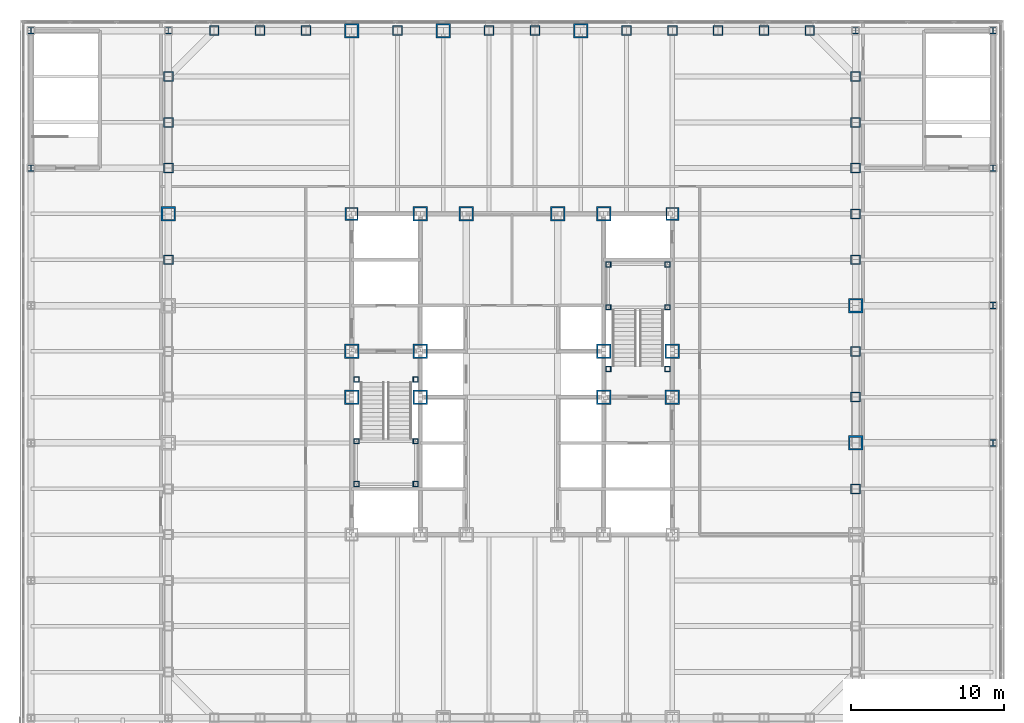
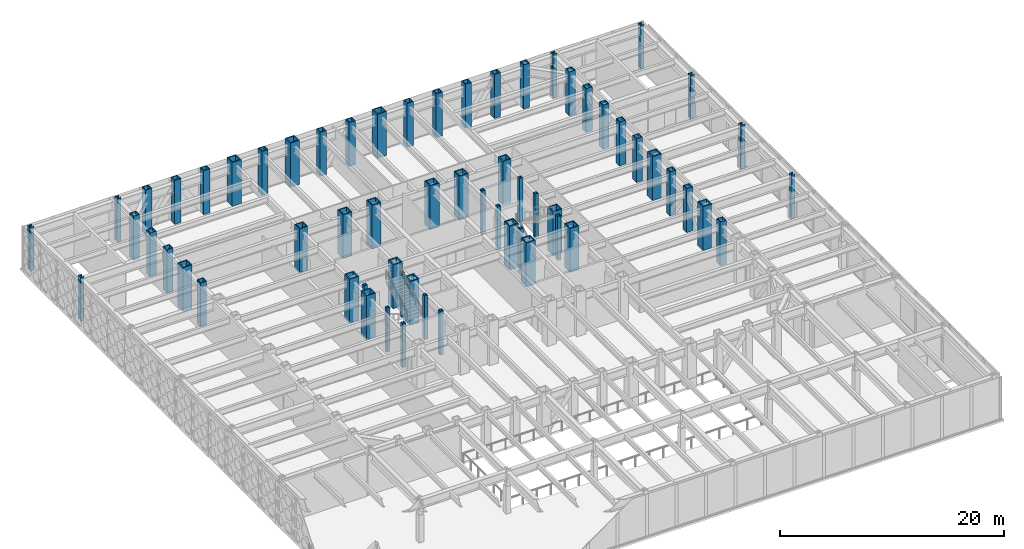
# One storey, part 2 of 24: 63 columns.
"""IFC4 building model written with IfcOpenShell, lengths in metres."""

from ifc_helpers import new_model, si_unit, direction, frame, origin, origin_2d, place, context, subcontext, project, spatial, hollow_rectangle, i_section, extrude, material, material_profile, profile_set, type_object, element, save


model = new_model("IFC4")

# Units and contexts
model_context = context("Model", 3, precision=1e-05, world=origin(), true_north=direction((0.0, 1.0)))
body_context = subcontext(model_context, "Body", "Model", "MODEL_VIEW")
ifc_project = project(units=[si_unit("LENGTHUNIT", "METRE"), si_unit("AREAUNIT", "SQUARE_METRE"), si_unit("VOLUMEUNIT", "CUBIC_METRE"), si_unit("PLANEANGLEUNIT", "RADIAN"), si_unit("MASSUNIT", "GRAM", prefix="KILO")], contexts=[model_context])

# Site, building, storey
site_placement = place(None, origin())
site = spatial("IfcSite", under=ifc_project, at=site_placement, CompositionType="ELEMENT")
building_placement = place(site_placement, origin())
building = spatial("IfcBuilding", under=site, at=building_placement, Name="Chuquiago Exchange Tower", CompositionType="ELEMENT")
storey_placement = place(building_placement, frame((0.0, 0.0, 19.5)))
storey = spatial("IfcBuildingStorey", under=building, at=storey_placement, Name="L03", CompositionType="ELEMENT", Elevation=19.5)

# Columns
ifc_material_1 = material(Name="Steel ASTM A572 Grade 50", Category="steel")
ifc_material_profile_1 = material_profile(ifc_material_1, hollow_rectangle(XDim=0.64990234375, YDim=0.64990234375, WallThickness=0.06494140625, at=origin_2d()), Name="BOX650X650X65")
ifc_profile_set_1 = profile_set([ifc_material_profile_1], Name="Steel ASTM A572 Grade 50")
column_type_1 = type_object("IfcColumnType", Name="C1 BOX650X650X65", PredefinedType="COLUMN", material=ifc_profile_set_1)
for number, where, z_axis, x_axis, name in (
    (1, (45.0, 15.0, 0.0), (0.0, 0.0, 1.0), (1.0, 0.0, 0.0), "COL-L03-45_15"),
    (2, (45.0, 21.0, 0.0), (0.0, 0.0, 1.0), (1.0, 0.0, 0.0), "COL-L03-45_21"),
    (3, (45.0, 24.0, 0.0), (0.0, 0.0, 1.0), (1.0, 0.0, 0.0), "COL-L03-45_24"),
    (4, (45.0, 30.0, 0.0), (0.0, 0.0, 1.0), (1.0, 0.0, 0.0), "COL-L03-45_30"),
    (5, (45.0, 33.0, 0.0), (0.0, 0.0, 1.0), (1.0, 0.0, 0.0), "COL-L03-45_33"),
    (6, (45.0, 36.0, 0.0), (0.0, 0.0, 1.0), (1.0, 0.0, 0.0), "COL-L03-45_36"),
    (7, (45.0, 39.0, 0.0), (0.0, 0.0, 1.0), (1.0, 0.0, 0.0), "COL-L03-45_39"),
    (8, (45.0, 42.0, 0.0), (0.0, 0.0, 1.0), (1.0, 0.0, 0.0), "COL-L03-45_42"),
    (9, (42.0, 45.0, 0.0), (0.0, 0.0, 1.0), (0.0, 1.0, 0.0), "COL-L03-42_45"),
    (10, (39.0, 45.0, 0.0), (0.0, 0.0, 1.0), (0.0, 1.0, 0.0), "COL-L03-39_45"),
    (11, (36.0, 45.0, 0.0), (0.0, 0.0, 1.0), (0.0, 1.0, 0.0), "COL-L03-36_45"),
    (12, (33.0, 45.0, 0.0), (0.0, 0.0, 1.0), (0.0, 1.0, 0.0), "COL-L03-33_45"),
    (13, (30.0, 45.0, 0.0), (0.0, 0.0, 1.0), (0.0, 1.0, 0.0), "COL-L03-30_45"),
    (14, (24.0, 45.0, 0.0), (0.0, 0.0, 1.0), (0.0, 1.0, 0.0), "COL-L03-24_45"),
    (15, (21.0, 45.0, 0.0), (0.0, 0.0, 1.0), (0.0, 1.0, 0.0), "COL-L03-21_45"),
    (16, (15.0, 45.0, 0.0), (0.0, 0.0, 1.0), (0.0, 1.0, 0.0), "COL-L03-15_45"),
    (17, (9.0, 45.0, 0.0), (0.0, 0.0, 1.0), (0.0, 1.0, 0.0), "COL-L03-9_45"),
    (18, (6.0, 45.0, 0.0), (0.0, 0.0, 1.0), (0.0, 1.0, 0.0), "COL-L03-6_45"),
    (19, (3.0, 45.0, 0.0), (0.0, 0.0, 1.0), (0.0, 1.0, 0.0), "COL-L03-3_45"),
    (20, (0.0, 42.0, 0.0), (0.0, 0.0, 1.0), (-1.0, 0.0, 0.0), "COL-L03-0_42"),
    (21, (0.0, 39.0, 0.0), (0.0, 0.0, 1.0), (-1.0, 0.0, 0.0), "COL-L03-0_39"),
    (22, (0.0, 36.0, 0.0), (0.0, 0.0, 1.0), (-1.0, 0.0, 0.0), "COL-L03-0_36"),
    (23, (0.0, 30.0, 0.0), (0.0, 0.0, 1.0), (-1.0, 0.0, 0.0), "COL-L03-0_30"),
):
    element("IfcColumn", number, at=place(storey_placement, frame(where, z_axis=z_axis, x_axis=x_axis)), inside=storey, type_object=column_type_1, Name=name, PredefinedType="COLUMN", context=body_context, shape_type="SweptSolid", body=[
        extrude(hollow_rectangle(XDim=0.64990234375, YDim=0.64990234375, WallThickness=0.06494140625, at=origin_2d()), origin(), (0.0, 0.0, 1.0), 4.800048828125),
    ])
ifc_material_2 = material(Name="Steel ASTM A572 Grade 50", Category="steel")
ifc_material_profile_2 = material_profile(ifc_material_2, hollow_rectangle(XDim=0.949951171875, YDim=0.949951171875, WallThickness=0.094970703125, at=origin_2d()), Name="BOX950X950X95")
ifc_profile_set_2 = profile_set([ifc_material_profile_2], Name="Steel ASTM A572 Grade 50")
column_type_2 = type_object("IfcColumnType", Name="CC1 BOX950X950X95", PredefinedType="COLUMN", material=ifc_profile_set_2)
for number, where, z_axis, x_axis, name in (
    (24, (16.5, 33.0, 0.0), (0.0, 0.0, 1.0), (1.0, 0.0, 0.0), "CCOL-L03-16.5_33"),
    (25, (19.5, 33.0, 0.0), (0.0, 0.0, 1.0), (1.0, 0.0, 0.0), "CCOL-L03-19.5_33"),
    (26, (25.5, 33.0, 0.0), (0.0, 0.0, 1.0), (1.0, 0.0, 0.0), "CCOL-L03-25.5_33"),
    (27, (28.5, 33.0, 0.0), (0.0, 0.0, 1.0), (1.0, 0.0, 0.0), "CCOL-L03-28.5_33"),
    (28, (12.0, 21.0, 0.0), (0.0, 0.0, 1.0), (1.0, 0.0, 0.0), "CCOL-L03-12_21"),
    (29, (12.0, 24.0, 0.0), (0.0, 0.0, 1.0), (1.0, 0.0, 0.0), "CCOL-L03-12_24"),
    (30, (33.0, 21.0, 0.0), (0.0, 0.0, 1.0), (1.0, 0.0, 0.0), "CCOL-L03-33_21"),
    (31, (33.0, 24.0, 0.0), (0.0, 0.0, 1.0), (1.0, 0.0, 0.0), "CCOL-L03-33_24"),
    (32, (16.5, 21.0, 0.0), (0.0, 0.0, 1.0), (1.0, 0.0, 0.0), "CCOL-L03-16.5_21"),
    (33, (16.5, 24.0, 0.0), (0.0, 0.0, 1.0), (1.0, 0.0, 0.0), "CCOL-L03-16.5_24"),
    (34, (28.5, 21.0, 0.0), (0.0, 0.0, 1.0), (1.0, 0.0, 0.0), "CCOL-L03-28.5_21"),
    (35, (28.5, 24.0, 0.0), (0.0, 0.0, 1.0), (1.0, 0.0, 0.0), "CCOL-L03-28.5_24"),
):
    element("IfcColumn", number, at=place(storey_placement, frame(where, z_axis=z_axis, x_axis=x_axis)), inside=storey, type_object=column_type_2, Name=name, PredefinedType="COLUMN", context=body_context, shape_type="SweptSolid", body=[
        extrude(hollow_rectangle(XDim=0.949951171875, YDim=0.949951171875, WallThickness=0.094970703125, at=origin_2d()), origin(), (0.0, 0.0, 1.0), 4.800048828125),
    ])
ifc_material_3 = material(Name="Steel ASTM A572 Grade 50", Category="steel")
ifc_material_profile_3 = material_profile(ifc_material_3, hollow_rectangle(XDim=0.85009765625, YDim=0.85009765625, WallThickness=0.0849609375, at=origin_2d()), Name="BOX850X850X85")
ifc_profile_set_3 = profile_set([ifc_material_profile_3], Name="Steel ASTM A572 Grade 50")
column_type_3 = type_object("IfcColumnType", Name="CC6 BOX850X850X85", PredefinedType="COLUMN", material=ifc_profile_set_3)
for number, where, z_axis, x_axis, name in (
    (36, (12.0, 33.0, 0.0), (0.0, 0.0, 1.0), (1.0, 0.0, 0.0), "CCOL-L03-12_33"),
    (37, (33.0, 33.0, 0.0), (0.0, 0.0, 1.0), (1.0, 0.0, 0.0), "CCOL-L03-33_33"),
):
    element("IfcColumn", number, at=place(storey_placement, frame(where, z_axis=z_axis, x_axis=x_axis)), inside=storey, type_object=column_type_3, Name=name, PredefinedType="COLUMN", context=body_context, shape_type="SweptSolid", body=[
        extrude(hollow_rectangle(XDim=0.85009765625, YDim=0.85009765625, WallThickness=0.0849609375, at=origin_2d()), origin(), (0.0, 0.0, 1.0), 4.800048828125),
    ])
ifc_material_4 = material(Name="Steel ASTM A572 Grade 42", Category="steel")
ifc_material_profile_4 = material_profile(ifc_material_4, hollow_rectangle(XDim=0.949951171875, YDim=0.949951171875, WallThickness=0.110107421875, at=origin_2d()), Name="BOX950X950X110")
ifc_profile_set_4 = profile_set([ifc_material_profile_4], Name="Steel ASTM A572 Grade 42")
column_type_4 = type_object("IfcColumnType", Name="CT1 BOX950X950X110", PredefinedType="COLUMN", material=ifc_profile_set_4)
for number, where, z_axis, x_axis, name in (
    (38, (45.0, 18.0, 0.0), (0.0, 0.0, 1.0), (1.0, 0.0, 0.0), "COL-L03-45_18"),
    (39, (45.0, 27.0, 0.0), (0.0, 0.0, 1.0), (1.0, 0.0, 0.0), "COL-L03-45_27"),
    (40, (27.0, 45.0, 0.0), (0.0, 0.0, 1.0), (0.0, 1.0, 0.0), "COL-L03-27_45"),
    (41, (18.0, 45.0, 0.0), (0.0, 0.0, 1.0), (0.0, 1.0, 0.0), "COL-L03-18_45"),
    (42, (12.0, 45.0, 0.0), (0.0, 0.0, 1.0), (0.0, 1.0, 0.0), "COL-L03-12_45"),
    (43, (0.0, 33.0, 0.0), (0.0, 0.0, 1.0), (-1.0, 0.0, 0.0), "COL-L03-0_33"),
):
    element("IfcColumn", number, at=place(storey_placement, frame(where, z_axis=z_axis, x_axis=x_axis)), inside=storey, type_object=column_type_4, Name=name, PredefinedType="COLUMN", context=body_context, shape_type="SweptSolid", body=[
        extrude(hollow_rectangle(XDim=0.949951171875, YDim=0.949951171875, WallThickness=0.110107421875, at=origin_2d()), origin(), (0.0, 0.0, 1.0), 4.800048828125),
    ])
ifc_material_5 = material(Name="Steel ASTM A992", Category="steel")
ifc_material_profile_5 = material_profile(ifc_material_5, i_section(OverallWidth=0.411376953125, OverallDepth=0.434326171875, WebThickness=0.035888671875, FlangeThickness=0.057373046875, at=origin_2d()), Name="W14X311")
ifc_profile_set_5 = profile_set([ifc_material_profile_5], Name="Steel ASTM A992")
column_type_5 = type_object("IfcColumnType", Name="PC1 W14X311", PredefinedType="COLUMN", material=ifc_profile_set_5)
for number, where, z_axis, x_axis, name in (
    (44, (-9.0, 36.0, 0.0), (0.0, 0.0, 1.0), (1.0, 0.0, 0.0), "PCOL-L03--9_36"),
    (45, (-9.0, 45.0, 0.0), (0.0, 0.0, 1.0), (1.0, 0.0, 0.0), "PCOL-L03--9_45"),
    (46, (0.0, 45.0, 0.0), (0.0, 0.0, 1.0), (1.0, 0.0, 0.0), "PCOL-L03-0_45"),
    (47, (45.0, 45.0, 0.0), (0.0, 0.0, 1.0), (1.0, 0.0, 0.0), "PCOL-L03-45_45"),
    (48, (54.0, 18.0, 0.0), (0.0, 0.0, 1.0), (1.0, 0.0, 0.0), "PCOL-L03-54_18"),
    (49, (54.0, 27.0, 0.0), (0.0, 0.0, 1.0), (1.0, 0.0, 0.0), "PCOL-L03-54_27"),
    (50, (54.0, 36.0, 0.0), (0.0, 0.0, 1.0), (1.0, 0.0, 0.0), "PCOL-L03-54_36"),
    (51, (54.0, 45.0, 0.0), (0.0, 0.0, 1.0), (1.0, 0.0, 0.0), "PCOL-L03-54_45"),
):
    element("IfcColumn", number, at=place(storey_placement, frame(where, z_axis=z_axis, x_axis=x_axis)), inside=storey, type_object=column_type_5, Name=name, PredefinedType="COLUMN", context=body_context, shape_type="SweptSolid", body=[
        extrude(i_section(OverallWidth=0.411376953125, OverallDepth=0.434326171875, WebThickness=0.035888671875, FlangeThickness=0.057373046875, at=origin_2d()), origin(), (0.0, 0.0, 1.0), 4.800048828125),
    ])
ifc_material_6 = material(Name="Steel ASTM A572 Grade 50", Category="steel")
ifc_material_profile_6 = material_profile(ifc_material_6, hollow_rectangle(XDim=0.35009765625, YDim=0.35009765625, WallThickness=0.034912109375, at=origin_2d()), Name="BOX350X350X35")
ifc_profile_set_6 = profile_set([ifc_material_profile_6], Name="Steel ASTM A572 Grade 50")
column_type_6 = type_object("IfcColumnType", Name="PT3 BOX350X350X35", PredefinedType="COLUMN", material=ifc_profile_set_6)
for number, where, z_axis, x_axis, name in (
    (52, (12.31005859375, 15.31005859375, 0.0), (0.0, 0.0, 1.0), (1.0, 0.0, 0.0), "Stair ST1 L03 landing post"),
    (53, (16.18994140625, 15.31005859375, 0.0), (0.0, 0.0, 1.0), (1.0, 0.0, 0.0), "Stair ST1 L03 landing post"),
    (54, (12.31005859375, 18.110107421875, 0.0), (0.0, 0.0, 1.0), (1.0, 0.0, 0.0), "Stair ST1 L03 landing post"),
    (55, (16.18994140625, 18.110107421875, 0.0), (0.0, 0.0, 1.0), (1.0, 0.0, 0.0), "Stair ST1 L03 landing post"),
    (56, (12.31005859375, 22.14990234375, 0.0), (0.0, 0.0, 1.0), (1.0, 0.0, 0.0), "Stair ST1 L03 landing post"),
    (57, (16.18994140625, 22.14990234375, 0.0), (0.0, 0.0, 1.0), (1.0, 0.0, 0.0), "Stair ST1 L03 landing post"),
    (58, (28.81005859375, 29.68994140625, 0.0), (0.0, 0.0, 1.0), (1.0, 0.0, 0.0), "Stair ST2 L03 landing post"),
    (59, (32.68994140625, 29.68994140625, 0.0), (0.0, 0.0, 1.0), (1.0, 0.0, 0.0), "Stair ST2 L03 landing post"),
    (60, (28.81005859375, 26.889892578125, 0.0), (0.0, 0.0, 1.0), (1.0, 0.0, 0.0), "Stair ST2 L03 landing post"),
    (61, (32.68994140625, 26.889892578125, 0.0), (0.0, 0.0, 1.0), (1.0, 0.0, 0.0), "Stair ST2 L03 landing post"),
    (62, (28.81005859375, 22.85009765625, 0.0), (0.0, 0.0, 1.0), (1.0, 0.0, 0.0), "Stair ST2 L03 landing post"),
    (63, (32.68994140625, 22.85009765625, 0.0), (0.0, 0.0, 1.0), (1.0, 0.0, 0.0), "Stair ST2 L03 landing post"),
):
    element("IfcColumn", number, at=place(storey_placement, frame(where, z_axis=z_axis, x_axis=x_axis)), inside=storey, type_object=column_type_6, Name=name, PredefinedType="COLUMN", context=body_context, shape_type="SweptSolid", body=[
        extrude(hollow_rectangle(XDim=0.35009765625, YDim=0.35009765625, WallThickness=0.034912109375, at=origin_2d()), origin(), (0.0, 0.0, 1.0), 4.800048828125),
    ])

save(model, "model.ifc")
